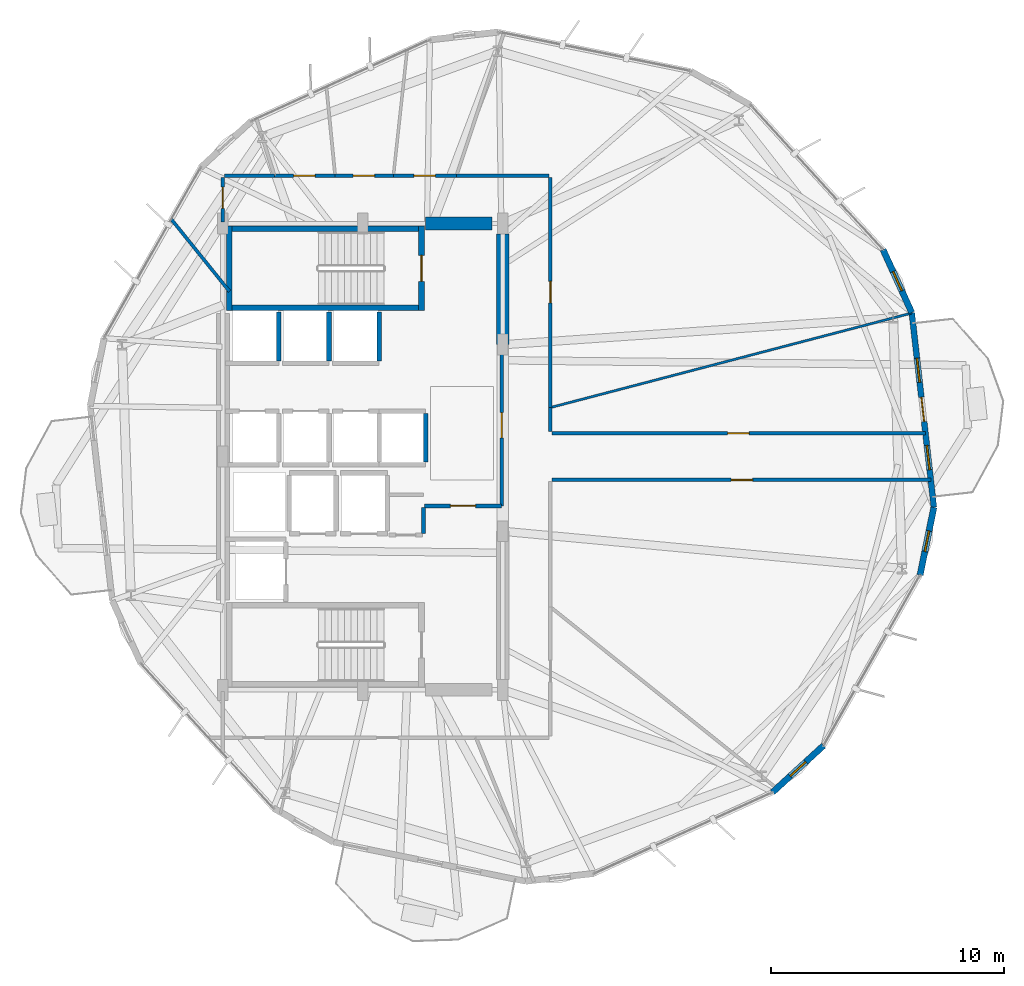
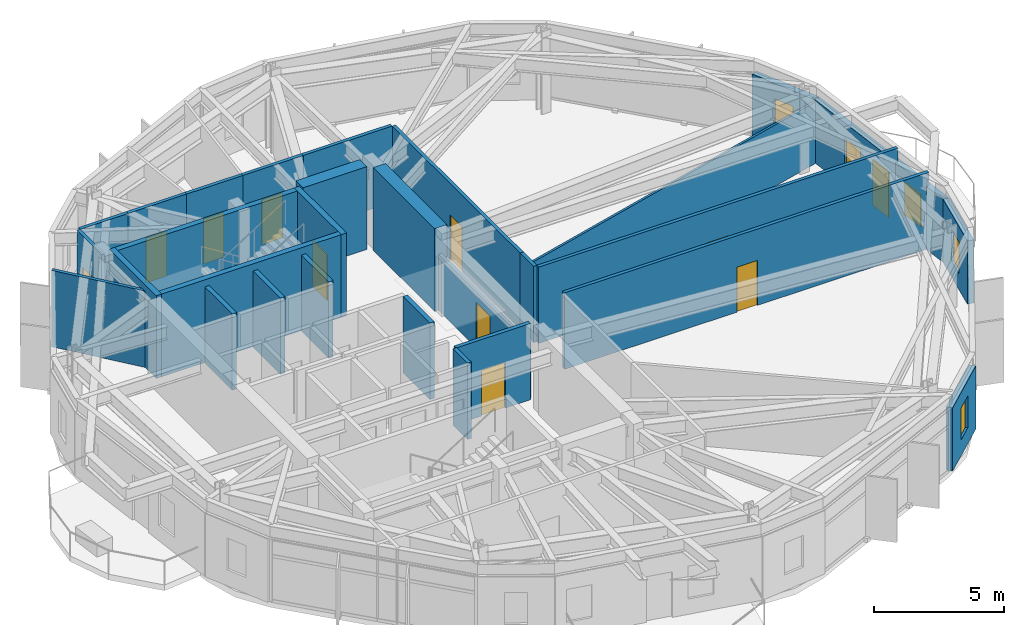
# One storey, part 19 of 23: 29 walls, 11 doors, 5 windows, 16 openings.
"""IFC4 building model written with IfcOpenShell, lengths in metres."""

from ifc_helpers import new_model, si_unit, direction, frame, frame_2d, origin, place, context, subcontext, project, spatial, rectangle, extrude, material, layer, layer_set, type_object, element, fill, save


model = new_model("IFC4")

# Units and contexts
model_context = context("Model", 3, precision=1e-05, world=origin(), true_north=direction((0.0, 1.0)))
body_context = subcontext(model_context, "Body", "Model", "MODEL_VIEW")
ifc_project = project(units=[si_unit("LENGTHUNIT", "METRE"), si_unit("AREAUNIT", "SQUARE_METRE"), si_unit("VOLUMEUNIT", "CUBIC_METRE"), si_unit("PLANEANGLEUNIT", "RADIAN"), si_unit("MASSUNIT", "GRAM", prefix="KILO")], contexts=[model_context])

# Site, building, storey
site_placement = place(None, origin())
site = spatial("IfcSite", under=ifc_project, at=site_placement, CompositionType="ELEMENT")
building_placement = place(site_placement, origin())
building = spatial("IfcBuilding", under=site, at=building_placement, Name="Soratama Intermodal Tower", CompositionType="ELEMENT")
storey_placement = place(building_placement, frame((0.0, 0.0, 122.5)))
storey = spatial("IfcBuildingStorey", under=building, at=storey_placement, Name="L29", CompositionType="ELEMENT", Elevation=122.5)

# Wall, openings, door, windows
ifc_material_1 = material(Name="Concrete f'c 42 MPa", Category="concrete")
ifc_layer_1 = layer(ifc_material_1, 0.25)
ifc_layer_set_1 = layer_set([ifc_layer_1], Name="Concrete f'c 42 MPa")
wall_type_1 = type_object("IfcWallType", Name="EW-BAL-250", PredefinedType="SOLIDWALL", material=ifc_layer_set_1)
wall_1_placement = place(storey_placement, frame((63.095458984375, 22.82568359375, 0.0), z_axis=(0.0, 0.0, 1.0), x_axis=(-0.112873191476, 0.993609401448, 0.0)))
wall_1 = element("IfcWall", 1, at=wall_1_placement, inside=storey, type_object=wall_type_1, Name="L29 Terrace Wall F10", PredefinedType="SOLIDWALL", context=body_context, shape_type="SweptSolid", body=[
    extrude(rectangle(XDim=8.4052734375, YDim=0.25, at=frame_2d((4.20263671875, 0.0))), origin(), (0.0, 0.0, 1.0), 2.97900390625),
])
opening_1_placement = place(wall_1_placement, frame((3.70263671875, 0.0, 0.0)))
opening_1 = element("IfcOpeningElement", 2, at=opening_1_placement, cuts=wall_1, Name="Opening ED-5", PredefinedType="OPENING", context=body_context, shape_type="SweptSolid", body=[
    extrude(rectangle(XDim=1.050048828125, YDim=2.14990234375, at=frame_2d((0.52490234375, 1.074951171875))), frame((0.0, 0.135009765625, 0.0), z_axis=(0.0, -1.0, 0.0), x_axis=(1.0, 0.0, 0.0)), (0.0, 0.0, 1.0), 0.27001953125),
])
opening_2_placement = place(wall_1_placement, frame((1.619384765625, 0.0, 0.719970703125)))
opening_2 = element("IfcOpeningElement", 3, at=opening_2_placement, cuts=wall_1, Name="Opening WN-5", PredefinedType="OPENING", context=body_context, shape_type="SweptSolid", body=[
    extrude(rectangle(XDim=1.050048828125, YDim=1.550048828125, at=frame_2d((0.52490234375, 0.77490234375))), frame((0.0, 0.135009765625, 0.0), z_axis=(0.0, -1.0, 0.0), x_axis=(1.0, 0.0, 0.0)), (0.0, 0.0, 1.0), 0.27001953125),
])
opening_3_placement = place(wall_1_placement, frame((5.392578125, 0.0, 0.719970703125)))
opening_3 = element("IfcOpeningElement", 4, at=opening_3_placement, cuts=wall_1, Name="Opening WN-5", PredefinedType="OPENING", context=body_context, shape_type="SweptSolid", body=[
    extrude(rectangle(XDim=1.050048828125, YDim=1.550048828125, at=frame_2d((0.52490234375, 0.77490234375))), frame((0.0, 0.135009765625, 0.0), z_axis=(0.0, -1.0, 0.0), x_axis=(1.0, 0.0, 0.0)), (0.0, 0.0, 1.0), 0.27001953125),
])
ifc_material_2 = material(Name="Double-glazed aluminium door", Category="aluminium")
door_type_1 = type_object("IfcDoorType", Name="DR-BAL-1050", OperationType="NOTDEFINED", PredefinedType="DOOR", material=ifc_material_2)
door_1_placement = place(opening_1_placement, origin())
door_1 = element("IfcDoor", 5, at=door_1_placement, inside=storey, type_object=door_type_1, Name="L29 Balcony Door F10", OperationType="SINGLE_SWING_RIGHT", OverallHeight=2.14990234375, OverallWidth=1.050048828125, PredefinedType="DOOR", context=body_context, shape_type="SweptSolid", body=[
    extrude(rectangle(XDim=1.050048828125, YDim=2.14990234375, at=frame_2d((0.52490234375, 1.074951171875))), frame((0.0, 0.02490234375, 0.0), z_axis=(0.0, -1.0, 0.0), x_axis=(1.0, 0.0, 0.0)), (0.0, 0.0, 1.0), 0.050048828125),
])
fill(opening_1, door_1)
ifc_material_3 = material(Name="Double-glazed aluminium window", Category="aluminium")
window_type_1 = type_object("IfcWindowType", Name="WN-FAC-1050", PartitioningType="SINGLE_PANEL", PredefinedType="WINDOW", material=ifc_material_3)
window_1_placement = place(opening_2_placement, origin())
window_1 = element("IfcWindow", 6, at=window_1_placement, inside=storey, type_object=window_type_1, Name="L29 Window A F10", OverallHeight=1.550048828125, OverallWidth=1.050048828125, PartitioningType="SINGLE_PANEL", PredefinedType="WINDOW", context=body_context, shape_type="SweptSolid", body=[
    extrude(rectangle(XDim=1.050048828125, YDim=1.550048828125, at=frame_2d((0.52490234375, 0.77490234375))), frame((0.0, 0.030029296875, 0.0), z_axis=(0.0, -1.0, 0.0), x_axis=(1.0, 0.0, 0.0)), (0.0, 0.0, 1.0), 0.06005859375),
])
fill(opening_2, window_1)
window_2_placement = place(opening_3_placement, origin())
window_2 = element("IfcWindow", 7, at=window_2_placement, inside=storey, type_object=window_type_1, Name="L29 Window B F10", OverallHeight=1.550048828125, OverallWidth=1.050048828125, PartitioningType="SINGLE_PANEL", PredefinedType="WINDOW", context=body_context, shape_type="SweptSolid", body=[
    extrude(rectangle(XDim=1.050048828125, YDim=1.550048828125, at=frame_2d((0.52490234375, 0.77490234375))), frame((0.0, 0.030029296875, 0.0), z_axis=(0.0, -1.0, 0.0), x_axis=(1.0, 0.0, 0.0)), (0.0, 0.0, 1.0), 0.06005859375),
])
fill(opening_3, window_2)

# Wall, opening, window
ifc_material_4 = material(Name="Concrete f'c 42 MPa", Category="concrete")
ifc_layer_2 = layer(ifc_material_4, 0.27001953125)
ifc_layer_set_2 = layer_set([ifc_layer_2], Name="Concrete f'c 42 MPa")
wall_type_2 = type_object("IfcWallType", Name="EW-CRN-270", PredefinedType="SOLIDWALL", material=ifc_layer_set_2)
wall_2_placement = place(storey_placement, frame((56.173583984375, 10.601318359375, 0.0), z_axis=(0.0, 0.0, 1.0), x_axis=(0.737529789318, 0.675314600663, 0.0)))
wall_2 = element("IfcWall", 8, at=wall_2_placement, inside=storey, type_object=wall_type_2, Name="L29 Corner Closure Wall 08", PredefinedType="SOLIDWALL", context=body_context, shape_type="SweptSolid", body=[
    extrude(rectangle(XDim=2.966552734375, YDim=0.27001953125, at=frame_2d((1.4833984375, 0.0))), origin(), (0.0, 0.0, 1.0), 2.97900390625),
])
opening_4_placement = place(wall_2_placement, frame((1.033203125, 0.0, 0.75)))
opening_4 = element("IfcOpeningElement", 9, at=opening_4_placement, cuts=wall_2, Name="Opening WN-6", PredefinedType="OPENING", context=body_context, shape_type="SweptSolid", body=[
    extrude(rectangle(XDim=0.89990234375, YDim=1.5, at=frame_2d((0.449951171875, 0.75))), frame((0.0, 0.14501953125, 0.0), z_axis=(0.0, -1.0, 0.0), x_axis=(1.0, 0.0, 0.0)), (0.0, 0.0, 1.0), 0.2900390625),
])
ifc_material_5 = material(Name="Double-glazed aluminium window", Category="aluminium")
window_type_2 = type_object("IfcWindowType", Name="WN-FAC-900", PartitioningType="SINGLE_PANEL", PredefinedType="WINDOW", material=ifc_material_5)
window_3_placement = place(opening_4_placement, origin())
window_3 = element("IfcWindow", 10, at=window_3_placement, inside=storey, type_object=window_type_2, Name="L29 Corner Window 08", OverallHeight=1.5, OverallWidth=0.89990234375, PartitioningType="SINGLE_PANEL", PredefinedType="WINDOW", context=body_context, shape_type="SweptSolid", body=[
    extrude(rectangle(XDim=0.89990234375, YDim=1.5, at=frame_2d((0.449951171875, 0.75))), frame((0.0, 0.030029296875, 0.0), z_axis=(0.0, -1.0, 0.0), x_axis=(1.0, 0.0, 0.0)), (0.0, 0.0, 1.0), 0.06005859375),
])
fill(opening_4, window_3)

wall_3_placement = place(storey_placement, frame((62.5029296875, 19.918701171875, 0.0), z_axis=(0.0, 0.0, 1.0), x_axis=(0.199723000862, 0.979852398541, 0.0)))
wall_3 = element("IfcWall", 11, at=wall_3_placement, inside=storey, type_object=wall_type_2, Name="L29 Corner Closure Wall 09", PredefinedType="SOLIDWALL", context=body_context, shape_type="SweptSolid", body=[
    extrude(rectangle(XDim=2.966796875, YDim=0.27001953125, at=frame_2d((1.4833984375, 0.0))), origin(), (0.0, 0.0, 1.0), 2.97900390625),
])
opening_5_placement = place(wall_3_placement, frame((1.033203125, 0.0, 0.75)))
opening_5 = element("IfcOpeningElement", 12, at=opening_5_placement, cuts=wall_3, Name="Opening WN-6", PredefinedType="OPENING", context=body_context, shape_type="SweptSolid", body=[
    extrude(rectangle(XDim=0.89990234375, YDim=1.5, at=frame_2d((0.449951171875, 0.75))), frame((0.0, 0.14501953125, 0.0), z_axis=(0.0, -1.0, 0.0), x_axis=(1.0, 0.0, 0.0)), (0.0, 0.0, 1.0), 0.2900390625),
])
window_4_placement = place(opening_5_placement, origin())
window_4 = element("IfcWindow", 13, at=window_4_placement, inside=storey, type_object=window_type_2, Name="L29 Corner Window 09", OverallHeight=1.5, OverallWidth=0.89990234375, PartitioningType="SINGLE_PANEL", PredefinedType="WINDOW", context=body_context, shape_type="SweptSolid", body=[
    extrude(rectangle(XDim=0.89990234375, YDim=1.5, at=frame_2d((0.449951171875, 0.75))), frame((0.0, 0.030029296875, 0.0), z_axis=(0.0, -1.0, 0.0), x_axis=(1.0, 0.0, 0.0)), (0.0, 0.0, 1.0), 0.06005859375),
])
fill(opening_5, window_4)

wall_4_placement = place(storey_placement, frame((62.146728515625, 31.17724609375, 0.0), z_axis=(0.0, 0.0, 1.0), x_axis=(-0.41436090181, 0.910112654044, 0.0)))
wall_4 = element("IfcWall", 14, at=wall_4_placement, inside=storey, type_object=wall_type_2, Name="L29 Corner Closure Wall 10", PredefinedType="SOLIDWALL", context=body_context, shape_type="SweptSolid", body=[
    extrude(rectangle(XDim=2.966552734375, YDim=0.27001953125, at=frame_2d((1.4833984375, 0.0))), origin(), (0.0, 0.0, 1.0), 2.97900390625),
])
opening_6_placement = place(wall_4_placement, frame((1.033203125, 0.0, 0.75)))
opening_6 = element("IfcOpeningElement", 15, at=opening_6_placement, cuts=wall_4, Name="Opening WN-6", PredefinedType="OPENING", context=body_context, shape_type="SweptSolid", body=[
    extrude(rectangle(XDim=0.89990234375, YDim=1.5, at=frame_2d((0.449951171875, 0.75))), frame((0.0, 0.14501953125, 0.0), z_axis=(0.0, -1.0, 0.0), x_axis=(1.0, 0.0, 0.0)), (0.0, 0.0, 1.0), 0.2900390625),
])
window_5_placement = place(opening_6_placement, origin())
window_5 = element("IfcWindow", 16, at=window_5_placement, inside=storey, type_object=window_type_2, Name="L29 Corner Window 10", OverallHeight=1.5, OverallWidth=0.89990234375, PartitioningType="SINGLE_PANEL", PredefinedType="WINDOW", context=body_context, shape_type="SweptSolid", body=[
    extrude(rectangle(XDim=0.89990234375, YDim=1.5, at=frame_2d((0.449951171875, 0.75))), frame((0.0, 0.030029296875, 0.0), z_axis=(0.0, -1.0, 0.0), x_axis=(1.0, 0.0, 0.0)), (0.0, 0.0, 1.0), 0.06005859375),
])
fill(opening_6, window_5)

# Wall, opening, door
ifc_material_6 = material(Name="Fire-rated gypsum stud partition", Category="concrete")
ifc_layer_3 = layer(ifc_material_6, 0.14990234375)
ifc_layer_set_3 = layer_set([ifc_layer_3], Name="Fire-rated gypsum stud partition")
wall_type_3 = type_object("IfcWallType", Name="IW-PART-R150", PredefinedType="PARTITIONING", material=ifc_layer_set_3)
wall_5_placement = place(storey_placement, frame((62.9619140625, 24.0, 0.0), z_axis=(0.0, 0.0, 1.0), x_axis=(-1.0, 0.0, 0.0)))
wall_5 = element("IfcWall", 17, at=wall_5_placement, inside=storey, type_object=wall_type_3, Name="L29 Partition W-L29-TP001", PredefinedType="PARTITIONING", context=body_context, shape_type="SweptSolid", body=[
    extrude(rectangle(XDim=16.241943359375, YDim=0.14990234375, at=frame_2d((8.12109375, 0.0))), origin(), (0.0, 0.0, 1.0), 3.60009765625),
])
opening_7_placement = place(wall_5_placement, frame((7.64599609375, 0.0, 0.0)))
opening_7 = element("IfcOpeningElement", 18, at=opening_7_placement, cuts=wall_5, Name="Opening ID-6", PredefinedType="OPENING", context=body_context, shape_type="SweptSolid", body=[
    extrude(rectangle(XDim=0.919921875, YDim=2.1201171875, at=frame_2d((0.4599609375, 1.06005859375))), frame((0.0, 0.0849609375, 0.0), z_axis=(0.0, -1.0, 0.0), x_axis=(1.0, 0.0, 0.0)), (0.0, 0.0, 1.0), 0.169921875),
])
ifc_material_7 = material(Name="Solid hardwood acoustic door", Category="wood")
door_type_2 = type_object("IfcDoorType", Name="DR-ROOM-920", OperationType="NOTDEFINED", PredefinedType="DOOR", material=ifc_material_7)
door_2_placement = place(opening_7_placement, origin())
door_2 = element("IfcDoor", 19, at=door_2_placement, inside=storey, type_object=door_type_2, Name="L29 Door D-L29-TP001", OperationType="SINGLE_SWING_RIGHT", OverallHeight=2.1201171875, OverallWidth=0.919921875, PredefinedType="DOOR", context=body_context, shape_type="SweptSolid", body=[
    extrude(rectangle(XDim=0.919921875, YDim=2.1201171875, at=frame_2d((0.4599609375, 1.06005859375))), frame((0.0, 0.02490234375, 0.0), z_axis=(0.0, -1.0, 0.0), x_axis=(1.0, 0.0, 0.0)), (0.0, 0.0, 1.0), 0.050048828125),
])
fill(opening_7, door_2)

wall_6_placement = place(storey_placement, frame((46.719970703125, 26.0, 0.0), z_axis=(0.0, 0.0, 1.0), x_axis=(1.0, 0.0, 0.0)))
wall_6 = element("IfcWall", 20, at=wall_6_placement, inside=storey, type_object=wall_type_3, Name="L29 Partition W-L29-TP003", PredefinedType="PARTITIONING", context=body_context, shape_type="SweptSolid", body=[
    extrude(rectangle(XDim=16.01513671875, YDim=0.14990234375, at=frame_2d((8.007568359375, 0.0))), origin(), (0.0, 0.0, 1.0), 3.60009765625),
])
opening_8_placement = place(wall_6_placement, frame((7.532958984375, 0.0, 0.0)))
opening_8 = element("IfcOpeningElement", 21, at=opening_8_placement, cuts=wall_6, Name="Opening ID-6", PredefinedType="OPENING", context=body_context, shape_type="SweptSolid", body=[
    extrude(rectangle(XDim=0.919921875, YDim=2.1201171875, at=frame_2d((0.4599609375, 1.06005859375))), frame((0.0, 0.0849609375, 0.0), z_axis=(0.0, -1.0, 0.0), x_axis=(1.0, 0.0, 0.0)), (0.0, 0.0, 1.0), 0.169921875),
])
door_3_placement = place(opening_8_placement, origin())
door_3 = element("IfcDoor", 22, at=door_3_placement, inside=storey, type_object=door_type_2, Name="L29 Door D-L29-TP002", OperationType="SINGLE_SWING_LEFT", OverallHeight=2.1201171875, OverallWidth=0.919921875, PredefinedType="DOOR", context=body_context, shape_type="SweptSolid", body=[
    extrude(rectangle(XDim=0.919921875, YDim=2.1201171875, at=frame_2d((0.4599609375, 1.06005859375))), frame((0.0, 0.02490234375, 0.0), z_axis=(0.0, -1.0, 0.0), x_axis=(1.0, 0.0, 0.0)), (0.0, 0.0, 1.0), 0.050048828125),
])
fill(opening_8, door_3)

wall_7_placement = place(storey_placement, frame((46.64990234375, 36.97998046875, 0.0), z_axis=(0.0, 0.0, 1.0), x_axis=(0.0, -1.0, 0.0)))
wall_7 = element("IfcWall", 23, at=wall_7_placement, inside=storey, type_object=wall_type_3, Name="L29 Partition W-L29-TP005", PredefinedType="PARTITIONING", context=body_context, shape_type="SweptSolid", body=[
    extrude(rectangle(XDim=9.8740234375, YDim=0.14990234375, at=frame_2d((4.93701171875, 0.0))), origin(), (0.0, 0.0, 1.0), 3.60009765625),
])
opening_9_placement = place(wall_7_placement, frame((4.4619140625, 0.0, 0.0)))
opening_9 = element("IfcOpeningElement", 24, at=opening_9_placement, cuts=wall_7, Name="Opening ID-6", PredefinedType="OPENING", context=body_context, shape_type="SweptSolid", body=[
    extrude(rectangle(XDim=0.919921875, YDim=2.1201171875, at=frame_2d((0.4599609375, 1.06005859375))), frame((0.0, 0.0849609375, 0.0), z_axis=(0.0, -1.0, 0.0), x_axis=(1.0, 0.0, 0.0)), (0.0, 0.0, 1.0), 0.169921875),
])
door_4_placement = place(opening_9_placement, origin())
door_4 = element("IfcDoor", 25, at=door_4_placement, inside=storey, type_object=door_type_2, Name="L29 Door D-L29-TP003", OperationType="SINGLE_SWING_RIGHT", OverallHeight=2.1201171875, OverallWidth=0.919921875, PredefinedType="DOOR", context=body_context, shape_type="SweptSolid", body=[
    extrude(rectangle(XDim=0.919921875, YDim=2.1201171875, at=frame_2d((0.4599609375, 1.06005859375))), frame((0.0, 0.02490234375, 0.0), z_axis=(0.0, -1.0, 0.0), x_axis=(1.0, 0.0, 0.0)), (0.0, 0.0, 1.0), 0.050048828125),
])
fill(opening_9, door_4)

wall_8_placement = place(storey_placement, frame((44.56005859375, 29.800048828125, 0.0), z_axis=(0.0, 0.0, 1.0), x_axis=(0.0, -1.0, 0.0)))
wall_8 = element("IfcWall", 26, at=wall_8_placement, inside=storey, type_object=wall_type_3, Name="L29 Partition W-L29-TP007", PredefinedType="PARTITIONING", context=body_context, shape_type="SweptSolid", body=[
    extrude(rectangle(XDim=6.91015625, YDim=0.14990234375, at=frame_2d((3.455078125, 0.0))), origin(), (0.0, 0.0, 1.0), 2.639892578125),
])
opening_10_placement = place(wall_8_placement, frame((2.9150390625, 0.0, 0.0)))
opening_10 = element("IfcOpeningElement", 27, at=opening_10_placement, cuts=wall_8, Name="Opening ID-1", PredefinedType="OPENING", context=body_context, shape_type="SweptSolid", body=[
    extrude(rectangle(XDim=1.080078125, YDim=2.14990234375, at=frame_2d((0.5400390625, 1.074951171875))), frame((0.0, 0.0849609375, 0.0), z_axis=(0.0, -1.0, 0.0), x_axis=(1.0, 0.0, 0.0)), (0.0, 0.0, 1.0), 0.169921875),
])
ifc_material_8 = material(Name="Solid hardwood acoustic door", Category="wood")
door_type_3 = type_object("IfcDoorType", Name="DR-LOB-FD60", OperationType="NOTDEFINED", PredefinedType="DOOR", material=ifc_material_8)
door_5_placement = place(opening_10_placement, origin())
door_5 = element("IfcDoor", 28, at=door_5_placement, inside=storey, type_object=door_type_3, Name="L29 Door D-L29-TP005", OperationType="SINGLE_SWING_RIGHT", OverallHeight=2.14990234375, OverallWidth=1.080078125, PredefinedType="DOOR", context=body_context, shape_type="SweptSolid", body=[
    extrude(rectangle(XDim=1.080078125, YDim=2.14990234375, at=frame_2d((0.5400390625, 1.074951171875))), frame((0.0, 0.02490234375, 0.0), z_axis=(0.0, -1.0, 0.0), x_axis=(1.0, 0.0, 0.0)), (0.0, 0.0, 1.0), 0.050048828125),
])
fill(opening_10, door_5)

# Wall
wall_9_placement = place(storey_placement, frame((42.614013671875, 37.050048828125, 0.0), z_axis=(0.0, 0.0, 1.0), x_axis=(1.0, 0.0, 0.0)))
element("IfcWall", 29, at=wall_9_placement, inside=storey, type_object=wall_type_3, Name="L29 Partition W-L29-TP014", PredefinedType="PARTITIONING", context=body_context, shape_type="SweptSolid", body=[
    extrude(rectangle(XDim=3.966064453125, YDim=0.14990234375, at=frame_2d((1.98291015625, 0.0))), origin(), (0.0, 0.0, 1.0), 3.60009765625),
])

# Wall, opening, door
wall_10_placement = place(storey_placement, frame((39.9140625, 37.050048828125, 0.0), z_axis=(0.0, 0.0, 1.0), x_axis=(1.0, 0.0, 0.0)))
wall_10 = element("IfcWall", 30, at=wall_10_placement, inside=storey, type_object=wall_type_3, Name="L29 Partition W-L29-TP020", PredefinedType="PARTITIONING", context=body_context, shape_type="SweptSolid", body=[
    extrude(rectangle(XDim=2.699951171875, YDim=0.14990234375, at=frame_2d((1.35009765625, 0.0))), origin(), (0.0, 0.0, 1.0), 3.60009765625),
])
opening_11_placement = place(wall_10_placement, frame((0.875, 0.0, 0.0)))
opening_11 = element("IfcOpeningElement", 31, at=opening_11_placement, cuts=wall_10, Name="Opening ID-6", PredefinedType="OPENING", context=body_context, shape_type="SweptSolid", body=[
    extrude(rectangle(XDim=0.919921875, YDim=2.1201171875, at=frame_2d((0.4599609375, 1.06005859375))), frame((0.0, 0.0849609375, 0.0), z_axis=(0.0, -1.0, 0.0), x_axis=(1.0, 0.0, 0.0)), (0.0, 0.0, 1.0), 0.169921875),
])
door_6_placement = place(opening_11_placement, origin())
door_6 = element("IfcDoor", 32, at=door_6_placement, inside=storey, type_object=door_type_2, Name="L29 Door D-L29-TP009", OperationType="SINGLE_SWING_RIGHT", OverallHeight=2.1201171875, OverallWidth=0.919921875, PredefinedType="DOOR", context=body_context, shape_type="SweptSolid", body=[
    extrude(rectangle(XDim=0.919921875, YDim=2.1201171875, at=frame_2d((0.4599609375, 1.06005859375))), frame((0.0, 0.02490234375, 0.0), z_axis=(0.0, -1.0, 0.0), x_axis=(1.0, 0.0, 0.0)), (0.0, 0.0, 1.0), 0.050048828125),
])
fill(opening_11, door_6)

wall_11_placement = place(storey_placement, frame((34.81005859375, 37.050048828125, 0.0), z_axis=(0.0, 0.0, 1.0), x_axis=(1.0, 0.0, 0.0)))
wall_11 = element("IfcWall", 33, at=wall_11_placement, inside=storey, type_object=wall_type_3, Name="L29 Partition W-L29-TP022", PredefinedType="PARTITIONING", context=body_context, shape_type="SweptSolid", body=[
    extrude(rectangle(XDim=2.60498046875, YDim=0.14990234375, at=frame_2d((1.302490234375, 0.0))), origin(), (0.0, 0.0, 1.0), 3.60009765625),
])
opening_12_placement = place(wall_11_placement, frame((0.826904296875, 0.0, 0.0)))
opening_12 = element("IfcOpeningElement", 34, at=opening_12_placement, cuts=wall_11, Name="Opening ID-6", PredefinedType="OPENING", context=body_context, shape_type="SweptSolid", body=[
    extrude(rectangle(XDim=0.919921875, YDim=2.1201171875, at=frame_2d((0.4599609375, 1.06005859375))), frame((0.0, 0.0849609375, 0.0), z_axis=(0.0, -1.0, 0.0), x_axis=(1.0, 0.0, 0.0)), (0.0, 0.0, 1.0), 0.169921875),
])
door_7_placement = place(opening_12_placement, origin())
door_7 = element("IfcDoor", 35, at=door_7_placement, inside=storey, type_object=door_type_2, Name="L29 Door D-L29-TP010", OperationType="SINGLE_SWING_LEFT", OverallHeight=2.1201171875, OverallWidth=0.919921875, PredefinedType="DOOR", context=body_context, shape_type="SweptSolid", body=[
    extrude(rectangle(XDim=0.919921875, YDim=2.1201171875, at=frame_2d((0.4599609375, 1.06005859375))), frame((0.0, 0.02490234375, 0.0), z_axis=(0.0, -1.0, 0.0), x_axis=(1.0, 0.0, 0.0)), (0.0, 0.0, 1.0), 0.050048828125),
])
fill(opening_12, door_7)

wall_12_placement = place(storey_placement, frame((37.4150390625, 37.050048828125, 0.0), z_axis=(0.0, 0.0, 1.0), x_axis=(1.0, 0.0, 0.0)))
wall_12 = element("IfcWall", 36, at=wall_12_placement, inside=storey, type_object=wall_type_3, Name="L29 Partition W-L29-TP024", PredefinedType="PARTITIONING", context=body_context, shape_type="SweptSolid", body=[
    extrude(rectangle(XDim=2.4990234375, YDim=0.14990234375, at=frame_2d((1.24951171875, 0.0))), origin(), (0.0, 0.0, 1.0), 3.60009765625),
])
opening_13_placement = place(wall_12_placement, frame((0.77490234375, 0.0, 0.0)))
opening_13 = element("IfcOpeningElement", 37, at=opening_13_placement, cuts=wall_12, Name="Opening ID-6", PredefinedType="OPENING", context=body_context, shape_type="SweptSolid", body=[
    extrude(rectangle(XDim=0.919921875, YDim=2.1201171875, at=frame_2d((0.4599609375, 1.06005859375))), frame((0.0, 0.0849609375, 0.0), z_axis=(0.0, -1.0, 0.0), x_axis=(1.0, 0.0, 0.0)), (0.0, 0.0, 1.0), 0.169921875),
])
door_8_placement = place(opening_13_placement, origin())
door_8 = element("IfcDoor", 38, at=door_8_placement, inside=storey, type_object=door_type_2, Name="L29 Door D-L29-TP011", OperationType="SINGLE_SWING_RIGHT", OverallHeight=2.1201171875, OverallWidth=0.919921875, PredefinedType="DOOR", context=body_context, shape_type="SweptSolid", body=[
    extrude(rectangle(XDim=0.919921875, YDim=2.1201171875, at=frame_2d((0.4599609375, 1.06005859375))), frame((0.0, 0.02490234375, 0.0), z_axis=(0.0, -1.0, 0.0), x_axis=(1.0, 0.0, 0.0)), (0.0, 0.0, 1.0), 0.050048828125),
])
fill(opening_13, door_8)

# Wall
wall_13_placement = place(storey_placement, frame((32.669921875, 37.050048828125, 0.0), z_axis=(0.0, 0.0, 1.0), x_axis=(1.0, 0.0, 0.0)))
element("IfcWall", 39, at=wall_13_placement, inside=storey, type_object=wall_type_3, Name="L29 Partition W-L29-TP025", PredefinedType="PARTITIONING", context=body_context, shape_type="SweptSolid", body=[
    extrude(rectangle(XDim=2.14013671875, YDim=0.14990234375, at=frame_2d((1.070068359375, 0.0))), origin(), (0.0, 0.0, 1.0), 3.60009765625),
])

# Wall, opening, door
wall_14_placement = place(storey_placement, frame((32.60009765625, 35.070068359375, 0.0), z_axis=(0.0, 0.0, 1.0), x_axis=(0.0, 1.0, 0.0)))
wall_14 = element("IfcWall", 40, at=wall_14_placement, inside=storey, type_object=wall_type_3, Name="L29 Partition W-L29-TP026", PredefinedType="PARTITIONING", context=body_context, shape_type="SweptSolid", body=[
    extrude(rectangle(XDim=1.909912109375, YDim=0.14990234375, at=frame_2d((0.955078125, 0.0))), origin(), (0.0, 0.0, 1.0), 3.60009765625),
])
opening_14_placement = place(wall_14_placement, frame((0.574951171875, 0.0, 0.0)))
opening_14 = element("IfcOpeningElement", 41, at=opening_14_placement, cuts=wall_14, Name="Opening ID-6", PredefinedType="OPENING", context=body_context, shape_type="SweptSolid", body=[
    extrude(rectangle(XDim=0.919921875, YDim=2.1201171875, at=frame_2d((0.4599609375, 1.06005859375))), frame((0.0, 0.0849609375, 0.0), z_axis=(0.0, -1.0, 0.0), x_axis=(1.0, 0.0, 0.0)), (0.0, 0.0, 1.0), 0.169921875),
])
door_9_placement = place(opening_14_placement, origin())
door_9 = element("IfcDoor", 42, at=door_9_placement, inside=storey, type_object=door_type_2, Name="L29 Door D-L29-TP012", OperationType="SINGLE_SWING_LEFT", OverallHeight=2.1201171875, OverallWidth=0.919921875, PredefinedType="DOOR", context=body_context, shape_type="SweptSolid", body=[
    extrude(rectangle(XDim=0.919921875, YDim=2.1201171875, at=frame_2d((0.4599609375, 1.06005859375))), frame((0.0, 0.02490234375, 0.0), z_axis=(0.0, -1.0, 0.0), x_axis=(1.0, 0.0, 0.0)), (0.0, 0.0, 1.0), 0.050048828125),
])
fill(opening_14, door_9)

# Wall
wall_15_placement = place(storey_placement, frame((46.64990234375, 27.10595703125, 0.0), z_axis=(0.0, 0.0, 1.0), x_axis=(0.0, -1.0, 0.0)))
element("IfcWall", 43, at=wall_15_placement, inside=storey, type_object=wall_type_3, Name="L29 Partition W-L29-TP029", PredefinedType="PARTITIONING", context=body_context, shape_type="SweptSolid", body=[
    extrude(rectangle(XDim=1.035888671875, YDim=0.14990234375, at=frame_2d((0.51806640625, 0.0))), origin(), (0.0, 0.0, 1.0), 3.60009765625),
])

# Wall, opening, door
ifc_material_9 = material(Name="Fire-rated gypsum stud partition", Category="concrete")
ifc_layer_4 = layer(ifc_material_9, 0.169921875)
ifc_layer_set_4 = layer_set([ifc_layer_4], Name="Fire-rated gypsum stud partition")
wall_type_4 = type_object("IfcWallType", Name="IW-PART-R170", PredefinedType="PARTITIONING", material=ifc_layer_set_4)
wall_16_placement = place(storey_placement, frame((41.239990234375, 22.889892578125, 0.0), z_axis=(0.0, 0.0, 1.0), x_axis=(1.0, 0.0, 0.0)))
wall_16 = element("IfcWall", 44, at=wall_16_placement, inside=storey, type_object=wall_type_4, Name="L29 Partition W-L29-TP018", PredefinedType="PARTITIONING", context=body_context, shape_type="SweptSolid", body=[
    extrude(rectangle(XDim=3.320068359375, YDim=0.169921875, at=frame_2d((1.66015625, 0.0))), origin(), (0.0, 0.0, 1.0), 3.60009765625),
])
opening_15_placement = place(wall_16_placement, frame((1.1201171875, 0.0, 0.0)))
opening_15 = element("IfcOpeningElement", 45, at=opening_15_placement, cuts=wall_16, Name="Opening ID-0", PredefinedType="OPENING", context=body_context, shape_type="SweptSolid", body=[
    extrude(rectangle(XDim=1.080078125, YDim=2.14990234375, at=frame_2d((0.5400390625, 1.074951171875))), frame((0.0, 0.094970703125, 0.0), z_axis=(0.0, -1.0, 0.0), x_axis=(1.0, 0.0, 0.0)), (0.0, 0.0, 1.0), 0.18994140625),
])
ifc_material_10 = material(Name="Solid hardwood acoustic door", Category="wood")
door_type_4 = type_object("IfcDoorType", Name="DR-LOB-FD90", OperationType="NOTDEFINED", PredefinedType="DOOR", material=ifc_material_10)
door_10_placement = place(opening_15_placement, origin())
door_10 = element("IfcDoor", 46, at=door_10_placement, inside=storey, type_object=door_type_4, Name="L29 Door D-L29-TP008", OperationType="SINGLE_SWING_LEFT", OverallHeight=2.14990234375, OverallWidth=1.080078125, PredefinedType="DOOR", context=body_context, shape_type="SweptSolid", body=[
    extrude(rectangle(XDim=1.080078125, YDim=2.14990234375, at=frame_2d((0.5400390625, 1.074951171875))), frame((0.0, 0.02490234375, 0.0), z_axis=(0.0, -1.0, 0.0), x_axis=(1.0, 0.0, 0.0)), (0.0, 0.0, 1.0), 0.050048828125),
])
fill(opening_15, door_10)

# Walls
wall_17_placement = place(storey_placement, frame((41.199951171875, 21.699951171875, 0.0), z_axis=(0.0, 0.0, 1.0), x_axis=(0.0, 1.0, 0.0)))
element("IfcWall", 47, at=wall_17_placement, inside=storey, type_object=wall_type_4, Name="L29 Partition W-L29-TP028", PredefinedType="PARTITIONING", context=body_context, shape_type="SweptSolid", body=[
    extrude(rectangle(XDim=1.1201171875, YDim=0.169921875, at=frame_2d((0.56005859375, 0.0))), origin(), (0.0, 0.0, 1.0), 3.60009765625),
])
ifc_material_11 = material(Name="Fire-rated gypsum stud partition", Category="concrete")
ifc_layer_5 = layer(ifc_material_11, 0.10009765625)
ifc_layer_set_5 = layer_set([ifc_layer_5], Name="Fire-rated gypsum stud partition")
wall_type_5 = type_object("IfcWallType", Name="IW-PART-S100", PredefinedType="PARTITIONING", material=ifc_layer_set_5)
wall_18_placement = place(storey_placement, frame((46.64990234375, 27.10595703125, 0.0), z_axis=(0.0, 0.0, 1.0), x_axis=(0.9674534554, 0.253049030101, 0.0)))
element("IfcWall", 48, at=wall_18_placement, inside=storey, type_object=wall_type_5, Name="L29 Partition W-L29-TP002", PredefinedType="PARTITIONING", context=body_context, shape_type="SweptSolid", body=[
    extrude(rectangle(XDim=16.0205078125, YDim=0.10009765625, at=frame_2d((8.01025390625, 0.0))), origin(), (0.0, 0.0, 1.0), 2.89501953125),
])
ifc_material_12 = material(Name="Fire-rated gypsum stud partition", Category="concrete")
ifc_layer_6 = layer(ifc_material_12, 0.139892578125)
ifc_layer_set_6 = layer_set([ifc_layer_6], Name="Fire-rated gypsum stud partition")
wall_type_6 = type_object("IfcWallType", Name="IW-PART-S140", PredefinedType="PARTITIONING", material=ifc_layer_set_6)
wall_19_placement = place(storey_placement, frame((32.8798828125, 32.091064453125, 0.0), z_axis=(0.0, 0.0, 1.0), x_axis=(-0.627800500923, 0.778374287243, 0.0)))
element("IfcWall", 49, at=wall_19_placement, inside=storey, type_object=wall_type_6, Name="L29 Partition W-L29-TP013", PredefinedType="PARTITIONING", context=body_context, shape_type="SweptSolid", body=[
    extrude(rectangle(XDim=3.972412109375, YDim=0.139892578125, at=frame_2d((1.986328125, 0.0))), origin(), (0.0, 0.0, 1.0), 3.60009765625),
])
ifc_material_13 = material(Name="Concrete f'c 42 MPa", Category="concrete")
ifc_layer_7 = layer(ifc_material_13, 0.199951171875)
ifc_layer_set_7 = layer_set([ifc_layer_7], Name="Concrete f'c 42 MPa")
wall_type_7 = type_object("IfcWallType", Name="IW-SHAFT-200", PredefinedType="SOLIDWALL", material=ifc_layer_set_7)
wall_20_placement = place(storey_placement, frame((41.300048828125, 24.760009765625, 0.0), z_axis=(0.0, 0.0, 1.0), x_axis=(0.0, 1.0, 0.0)))
element("IfcWall", 50, at=wall_20_placement, inside=storey, type_object=wall_type_7, Name="L29 PL-M1 Hoistway Wall E", PredefinedType="SOLIDWALL", context=body_context, shape_type="SweptSolid", body=[
    extrude(rectangle(XDim=2.080078125, YDim=0.199951171875, at=frame_2d((1.0400390625, 0.0))), origin(), (0.0, 0.0, 1.0), 3.60009765625),
])
for number, where, z_axis, x_axis, name in (
    (51, (35.0, 29.110107421875, 0.0), (0.0, 0.0, 1.0), (0.0, 1.0, 0.0), "L29 PL-M2 Hoistway Wall E"),
    (52, (37.14990234375, 29.110107421875, 0.0), (0.0, 0.0, 1.0), (0.0, 1.0, 0.0), "L29 PL-H1 Hoistway Wall E"),
    (53, (39.300048828125, 29.110107421875, 0.0), (0.0, 0.0, 1.0), (0.0, 1.0, 0.0), "L29 PL-H2 Hoistway Wall E"),
):
    element("IfcWall", number, at=place(storey_placement, frame(where, z_axis=z_axis, x_axis=x_axis)), inside=storey, type_object=wall_type_7, Name=name, PredefinedType="SOLIDWALL", context=body_context, shape_type="SweptSolid", body=[
        extrude(rectangle(XDim=2.099853515625, YDim=0.199951171875, at=frame_2d((1.0498046875, 0.0))), origin(), (0.0, 0.0, 1.0), 3.60009765625),
    ])
ifc_material_14 = material(Name="Concrete f'c 56 MPa", Category="concrete")
ifc_layer_8 = layer(ifc_material_14, 0.550048828125)
ifc_layer_set_8 = layer_set([ifc_layer_8], Name="Concrete f'c 56 MPa")
wall_type_8 = type_object("IfcWallType", Name="SW-CORE-550", PredefinedType="SHEAR", material=ifc_layer_set_8)
wall_21_placement = place(storey_placement, frame((41.300048828125, 35.0, 0.0), z_axis=(0.0, 0.0, 1.0), x_axis=(1.0, 0.0, 0.0)))
element("IfcWall", 54, at=wall_21_placement, inside=storey, type_object=wall_type_8, Name="L29 Core Shear Wall CW-NE", PredefinedType="SHEAR", context=body_context, shape_type="SweptSolid", body=[
    extrude(rectangle(XDim=2.849853515625, YDim=0.550048828125, at=frame_2d((1.4248046875, 0.0))), origin(), (0.0, 0.0, 1.0), 3.89990234375),
])
wall_22_placement = place(storey_placement, frame((44.60009765625, 29.800048828125, 0.0), z_axis=(0.0, 0.0, 1.0), x_axis=(0.0, 1.0, 0.0)))
element("IfcWall", 55, at=wall_22_placement, inside=storey, type_object=wall_type_8, Name="L29 Core Shear Wall CW-EN", PredefinedType="SHEAR", context=body_context, shape_type="SweptSolid", body=[
    extrude(rectangle(XDim=4.75, YDim=0.550048828125, at=frame_2d((2.375, 0.0))), origin(), (0.0, 0.0, 1.0), 3.89990234375),
])
ifc_material_15 = material(Name="Concrete f'c 56 MPa", Category="concrete")
ifc_layer_9 = layer(ifc_material_15, 0.239990234375)
ifc_layer_set_9 = layer_set([ifc_layer_9], Name="Concrete f'c 56 MPa")
wall_type_9 = type_object("IfcWallType", Name="SW-STAIR-240", PredefinedType="SHEAR", material=ifc_layer_set_9)
wall_23_placement = place(storey_placement, frame((32.8798828125, 31.260009765625, 0.0), z_axis=(0.0, 0.0, 1.0), x_axis=(0.0, 1.0, 0.0)))
element("IfcWall", 56, at=wall_23_placement, inside=storey, type_object=wall_type_9, Name="L29 ST-2 Shaft Shear Wall W", PredefinedType="SHEAR", context=body_context, shape_type="SweptSolid", body=[
    extrude(rectangle(XDim=3.6298828125, YDim=0.239990234375, at=frame_2d((1.81494140625, 0.0))), origin(), (0.0, 0.0, 1.0), 3.89990234375),
])

# Wall, opening, door
wall_24_placement = place(storey_placement, frame((41.1201171875, 31.260009765625, 0.0), z_axis=(0.0, 0.0, 1.0), x_axis=(0.0, 1.0, 0.0)))
wall_24 = element("IfcWall", 57, at=wall_24_placement, inside=storey, type_object=wall_type_9, Name="L29 ST-2 Shaft Shear Wall E", PredefinedType="SHEAR", context=body_context, shape_type="SweptSolid", body=[
    extrude(rectangle(XDim=3.6298828125, YDim=0.239990234375, at=frame_2d((1.81494140625, 0.0))), origin(), (0.0, 0.0, 1.0), 3.89990234375),
])
opening_16_placement = place(wall_24_placement, frame((1.2548828125, 0.0, 0.0)))
opening_16 = element("IfcOpeningElement", 58, at=opening_16_placement, cuts=wall_24, Name="Opening SD-1", PredefinedType="OPENING", context=body_context, shape_type="SweptSolid", body=[
    extrude(rectangle(XDim=1.1201171875, YDim=2.14990234375, at=frame_2d((0.56005859375, 1.074951171875))), frame((0.0, 0.1298828125, 0.0), z_axis=(0.0, -1.0, 0.0), x_axis=(1.0, 0.0, 0.0)), (0.0, 0.0, 1.0), 0.260009765625),
])
ifc_material_16 = material(Name="Steel fire door", Category="steel")
door_type_5 = type_object("IfcDoorType", Name="DR-STAIR-FD90", OperationType="NOTDEFINED", PredefinedType="DOOR", material=ifc_material_16)
door_11_placement = place(opening_16_placement, origin())
door_11 = element("IfcDoor", 59, at=door_11_placement, inside=storey, type_object=door_type_5, Name="L29 ST-2 Exit Stair Door", OperationType="SINGLE_SWING_RIGHT", OverallHeight=2.14990234375, OverallWidth=1.1201171875, PredefinedType="DOOR", context=body_context, shape_type="SweptSolid", body=[
    extrude(rectangle(XDim=1.1201171875, YDim=2.14990234375, at=frame_2d((0.56005859375, 1.074951171875))), frame((0.0, 0.02490234375, 0.0), z_axis=(0.0, -1.0, 0.0), x_axis=(1.0, 0.0, 0.0)), (0.0, 0.0, 1.0), 0.050048828125),
])
fill(opening_16, door_11)

# Walls
for number, where, z_axis, x_axis, name in (
    (60, (33.0, 31.3798828125, 0.0), (0.0, 0.0, 1.0), (1.0, 0.0, 0.0), "L29 ST-2 Shaft Shear Wall S"),
    (61, (33.0, 34.77001953125, 0.0), (0.0, 0.0, 1.0), (1.0, 0.0, 0.0), "L29 ST-2 Shaft Shear Wall N"),
):
    element("IfcWall", number, at=place(storey_placement, frame(where, z_axis=z_axis, x_axis=x_axis)), inside=storey, type_object=wall_type_9, Name=name, PredefinedType="SHEAR", context=body_context, shape_type="SweptSolid", body=[
        extrude(rectangle(XDim=8.0, YDim=0.239990234375, at=frame_2d((4.0, 0.0))), origin(), (0.0, 0.0, 1.0), 3.89990234375),
    ])

save(model, "model.ifc")
